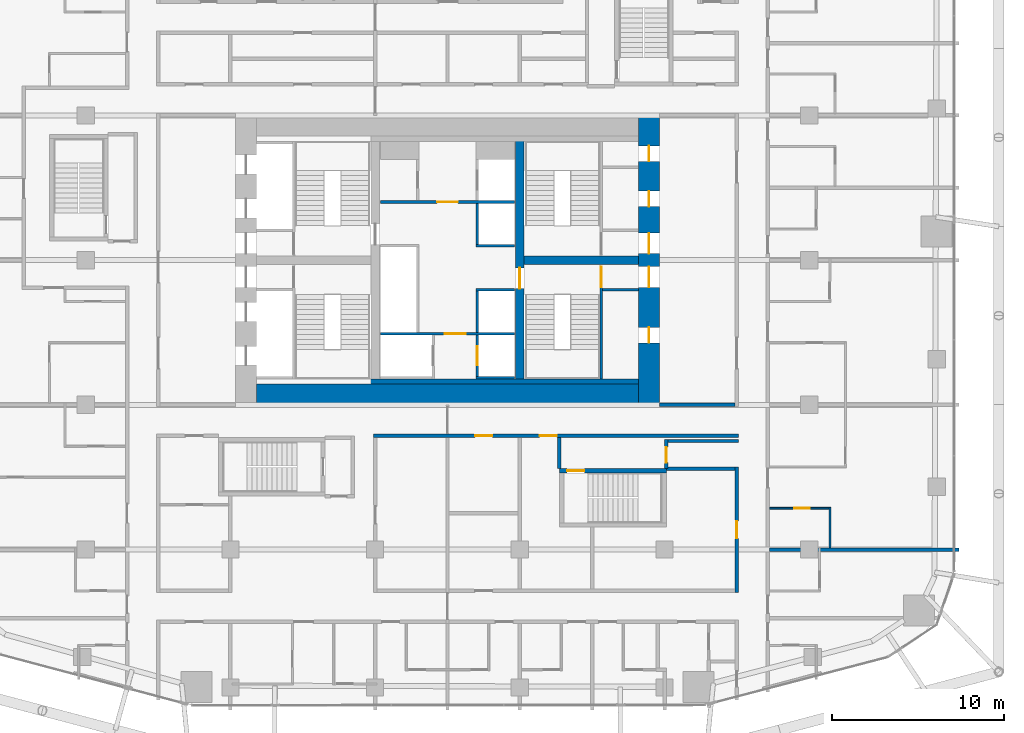
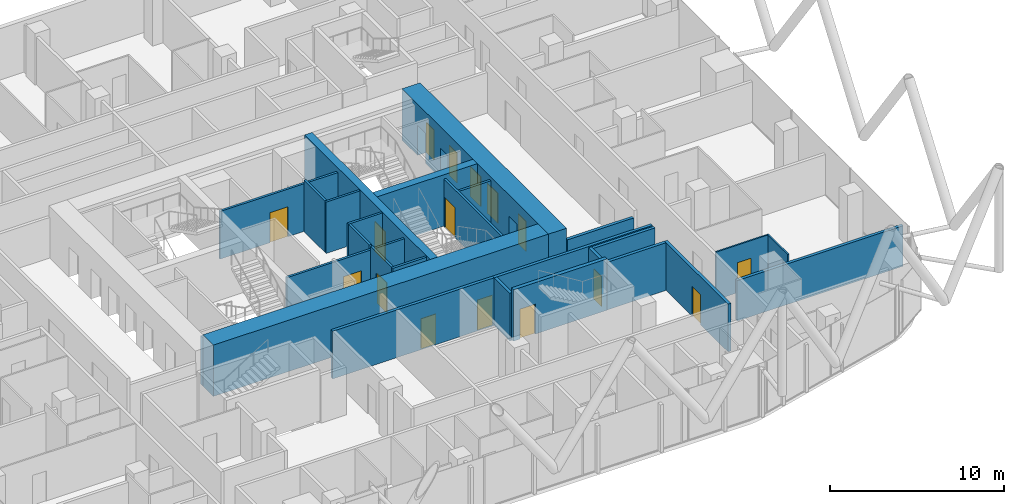
# One storey, part 31 of 38: 27 walls, 16 doors, 16 openings.
"""IFC4 building model written with IfcOpenShell, lengths in metres."""

from ifc_helpers import new_model, si_unit, direction, frame, frame_2d, origin, place, context, subcontext, project, spatial, rectangle, extrude, material, layer, layer_set, type_object, element, fill, save


model = new_model("IFC4")

# Units and contexts
model_context = context("Model", 3, precision=1e-05, world=origin(), true_north=direction((0.0, 1.0)))
body_context = subcontext(model_context, "Body", "Model", "MODEL_VIEW")
ifc_project = project(units=[si_unit("LENGTHUNIT", "METRE"), si_unit("AREAUNIT", "SQUARE_METRE"), si_unit("VOLUMEUNIT", "CUBIC_METRE"), si_unit("PLANEANGLEUNIT", "RADIAN"), si_unit("MASSUNIT", "GRAM", prefix="KILO")], contexts=[model_context])

# Site, building, storey
site_placement = place(None, origin())
site = spatial("IfcSite", under=ifc_project, at=site_placement, CompositionType="ELEMENT")
building_placement = place(site_placement, origin())
building = spatial("IfcBuilding", under=site, at=building_placement, Name="Marenta Gate Hotel Tower", CompositionType="ELEMENT")
storey_placement = place(building_placement, frame((0.0, 0.0, 68.89990234375)))
storey = spatial("IfcBuildingStorey", under=building, at=storey_placement, Name="L15", CompositionType="ELEMENT", Elevation=68.89990234375)

# Walls
ifc_material_1 = material(Name="Concrete blockwork", Category="masonry")
ifc_layer_1 = layer(ifc_material_1, 0.199951171875)
ifc_layer_set_1 = layer_set([ifc_layer_1], Name="Concrete blockwork")
wall_type_1 = type_object("IfcWallType", Name="Core boundary wall 200 REI 180", PredefinedType="PARTITIONING", material=ifc_layer_set_1)
wall_1_placement = place(storey_placement, frame((12.300048828125, 0.0, 0.0), z_axis=(0.0, 0.0, 1.0), x_axis=(1.0, 0.0, 0.0)))
element("IfcWall", 1, at=wall_1_placement, inside=storey, type_object=wall_type_1, Name="L15-CP-EW-ES", PredefinedType="PARTITIONING", context=body_context, shape_type="SweptSolid", body=[
    extrude(rectangle(XDim=4.39990234375, YDim=0.199951171875, at=frame_2d((2.199951171875, 0.0))), origin(), (0.0, 0.0, 1.0), 2.840087890625),
])
ifc_material_2 = material(Name="Concrete C40", Category="concrete")
ifc_layer_2 = layer(ifc_material_2, 0.300048828125)
ifc_layer_set_2 = layer_set([ifc_layer_2], Name="Concrete C40")
wall_type_2 = type_object("IfcWallType", Name="Core lining wall 300 REI 180", PredefinedType="PARTITIONING", material=ifc_layer_set_2)
wall_2_placement = place(storey_placement, frame((-11.10009765625, 1.35009765625, 0.0), z_axis=(0.0, 0.0, 1.0), x_axis=(1.0, 0.0, 0.0)))
element("IfcWall", 2, at=wall_2_placement, inside=storey, type_object=wall_type_2, Name="L15-CP-LN-S", PredefinedType="PARTITIONING", context=body_context, shape_type="SweptSolid", body=[
    extrude(rectangle(XDim=22.2001953125, YDim=0.300048828125, at=frame_2d((11.10009765625, 0.0))), origin(), (0.0, 0.0, 1.0), 3.340087890625),
])

# Wall, opening, door
ifc_material_3 = material(Name="Concrete blockwork", Category="masonry")
ifc_layer_3 = layer(ifc_material_3, 0.14990234375)
ifc_layer_set_3 = layer_set([ifc_layer_3], Name="Concrete blockwork")
wall_type_3 = type_object("IfcWallType", Name="Core lobby partition 150 REI 180", PredefinedType="PARTITIONING", material=ifc_layer_set_3)
wall_3_placement = place(storey_placement, frame((-3.89990234375, 4.125, 0.0), z_axis=(0.0, 0.0, 1.0), x_axis=(1.0, 0.0, 0.0)))
wall_3 = element("IfcWall", 3, at=wall_3_placement, inside=storey, type_object=wall_type_3, Name="L15-CP-CW-S", PredefinedType="PARTITIONING", context=body_context, shape_type="SweptSolid", body=[
    extrude(rectangle(XDim=7.7998046875, YDim=0.14990234375, at=frame_2d((3.89990234375, 0.0))), origin(), (0.0, 0.0, 1.0), 3.340087890625),
])
opening_1_placement = place(wall_3_placement, frame((3.75, 0.0, 0.0)))
opening_1 = element("IfcOpeningElement", 4, at=opening_1_placement, cuts=wall_3, Name="Opening FD-FFS", PredefinedType="OPENING", context=body_context, shape_type="SweptSolid", body=[
    extrude(rectangle(XDim=1.199951171875, YDim=2.10009765625, at=frame_2d((0.60009765625, 1.050048828125))), frame((0.0, 0.074951171875, 0.0), z_axis=(0.0, -1.0, 0.0), x_axis=(1.0, 0.0, 0.0)), (0.0, 0.0, 1.0), 0.14990234375),
])
ifc_material_4 = material(Name="Steel", Category="steel")
door_type_1 = type_object("IfcDoorType", Name="Core lobby door 1200x2100 FD60", OperationType="SINGLE_SWING_LEFT", PredefinedType="DOOR", material=ifc_material_4)
door_1_placement = place(opening_1_placement, origin())
door_1 = element("IfcDoor", 5, at=door_1_placement, inside=storey, type_object=door_type_1, Name="FD-FFS", OperationType="SINGLE_SWING_LEFT", OverallHeight=2.10009765625, OverallWidth=1.199951171875, PredefinedType="DOOR", context=body_context, shape_type="SweptSolid", body=[
    extrude(rectangle(XDim=1.199951171875, YDim=2.10009765625, at=frame_2d((0.60009765625, 1.050048828125))), frame((0.0, 0.02490234375, 0.0), z_axis=(0.0, -1.0, 0.0), x_axis=(1.0, 0.0, 0.0)), (0.0, 0.0, 1.0), 0.050048828125),
])
fill(opening_1, door_1)

wall_4_placement = place(storey_placement, frame((-3.89990234375, 11.77490234375, 0.0), z_axis=(0.0, 0.0, 1.0), x_axis=(1.0, 0.0, 0.0)))
wall_4 = element("IfcWall", 6, at=wall_4_placement, inside=storey, type_object=wall_type_3, Name="L15-CP-CW-N", PredefinedType="PARTITIONING", context=body_context, shape_type="SweptSolid", body=[
    extrude(rectangle(XDim=7.7998046875, YDim=0.14990234375, at=frame_2d((3.89990234375, 0.0))), origin(), (0.0, 0.0, 1.0), 3.340087890625),
])
opening_2_placement = place(wall_4_placement, frame((3.300048828125, 0.0, 0.0)))
opening_2 = element("IfcOpeningElement", 7, at=opening_2_placement, cuts=wall_4, Name="Opening FD-FFN", PredefinedType="OPENING", context=body_context, shape_type="SweptSolid", body=[
    extrude(rectangle(XDim=1.199951171875, YDim=2.10009765625, at=frame_2d((0.60009765625, 1.050048828125))), frame((0.0, 0.074951171875, 0.0), z_axis=(0.0, -1.0, 0.0), x_axis=(1.0, 0.0, 0.0)), (0.0, 0.0, 1.0), 0.14990234375),
])
door_2_placement = place(opening_2_placement, origin())
door_2 = element("IfcDoor", 8, at=door_2_placement, inside=storey, type_object=door_type_1, Name="FD-FFN", OperationType="SINGLE_SWING_LEFT", OverallHeight=2.10009765625, OverallWidth=1.199951171875, PredefinedType="DOOR", context=body_context, shape_type="SweptSolid", body=[
    extrude(rectangle(XDim=1.199951171875, YDim=2.10009765625, at=frame_2d((0.60009765625, 1.050048828125))), frame((0.0, 0.02490234375, 0.0), z_axis=(0.0, -1.0, 0.0), x_axis=(1.0, 0.0, 0.0)), (0.0, 0.0, 1.0), 0.050048828125),
])
fill(opening_2, door_2)

# Wall
ifc_material_5 = material(Name="Concrete blockwork", Category="masonry")
ifc_layer_4 = layer(ifc_material_5, 0.14990234375)
ifc_layer_set_4 = layer_set([ifc_layer_4], Name="Concrete blockwork")
wall_type_4 = type_object("IfcWallType", Name="Core room partition 150 REI 180", PredefinedType="PARTITIONING", material=ifc_layer_set_4)
wall_5_placement = place(storey_placement, frame((9.0, 6.675048828125, 0.0), z_axis=(0.0, 0.0, 1.0), x_axis=(1.0, 0.0, 0.0)))
element("IfcWall", 9, at=wall_5_placement, inside=storey, type_object=wall_type_4, Name="L15-CP-SW-ES-2", PredefinedType="PARTITIONING", context=body_context, shape_type="SweptSolid", body=[
    extrude(rectangle(XDim=2.10009765625, YDim=0.14990234375, at=frame_2d((1.050048828125, 0.0))), origin(), (0.0, 0.0, 1.0), 3.340087890625),
])

# Wall, opening, door
ifc_material_6 = material(Name="Concrete C40", Category="concrete")
ifc_layer_5 = layer(ifc_material_6, 0.14990234375)
ifc_layer_set_5 = layer_set([ifc_layer_5], Name="Concrete C40")
wall_type_5 = type_object("IfcWallType", Name="Core shaft wall 150 REI 180", PredefinedType="SHEAR", material=ifc_layer_set_5)
wall_6_placement = place(storey_placement, frame((1.72509765625, 1.64990234375, 0.0), z_axis=(0.0, 0.0, 1.0), x_axis=(0.0, 1.0, 0.0)))
wall_6 = element("IfcWall", 10, at=wall_6_placement, inside=storey, type_object=wall_type_5, Name="L15-SHF-CE-S-ls", PredefinedType="SHEAR", context=body_context, shape_type="SweptSolid", body=[
    extrude(rectangle(XDim=2.400146484375, YDim=0.14990234375, at=frame_2d((1.2001953125, 0.0))), origin(), (0.0, 0.0, 1.0), 3.60009765625),
])
opening_3_placement = place(wall_6_placement, frame((0.64990234375, 0.0, 0.0)))
opening_3 = element("IfcOpeningElement", 11, at=opening_3_placement, cuts=wall_6, Name="Opening LD-SV1", PredefinedType="OPENING", context=body_context, shape_type="SweptSolid", body=[
    extrude(rectangle(XDim=1.10009765625, YDim=2.10009765625, at=frame_2d((0.550048828125, 1.050048828125))), frame((0.0, 0.074951171875, 0.0), z_axis=(0.0, -1.0, 0.0), x_axis=(1.0, 0.0, 0.0)), (0.0, 0.0, 1.0), 0.14990234375),
])
ifc_material_7 = material(Name="Steel", Category="steel")
door_type_2 = type_object("IfcDoorType", Name="Core lift landing door 1100x2100 E 60", OperationType="SLIDING_TO_LEFT", PredefinedType="DOOR", material=ifc_material_7)
door_3_placement = place(opening_3_placement, origin())
door_3 = element("IfcDoor", 12, at=door_3_placement, inside=storey, type_object=door_type_2, Name="LD-SV1", OperationType="SLIDING_TO_LEFT", OverallHeight=2.10009765625, OverallWidth=1.10009765625, PredefinedType="DOOR", context=body_context, shape_type="SweptSolid", body=[
    extrude(rectangle(XDim=1.10009765625, YDim=2.10009765625, at=frame_2d((0.550048828125, 1.050048828125))), frame((0.0, 0.02490234375, 0.0), z_axis=(0.0, -1.0, 0.0), x_axis=(1.0, 0.0, 0.0)), (0.0, 0.0, 1.0), 0.050048828125),
])
fill(opening_3, door_3)

# Walls
for number, where, z_axis, x_axis, name in (
    (13, (1.64990234375, 1.574951171875, 0.0), (0.0, 0.0, 1.0), (1.0, 0.0, 0.0), "L15-SHF-CE-S-bot"),
    (14, (1.64990234375, 6.675048828125, 0.0), (0.0, 0.0, 1.0), (1.0, 0.0, 0.0), "L15-SHF-CE-sep1"),
    (15, (1.64990234375, 9.22509765625, 0.0), (0.0, 0.0, 1.0), (1.0, 0.0, 0.0), "L15-SHF-CE-sep2"),
):
    element("IfcWall", number, at=place(storey_placement, frame(where, z_axis=z_axis, x_axis=x_axis)), inside=storey, type_object=wall_type_5, Name=name, PredefinedType="SHEAR", context=body_context, shape_type="SweptSolid", body=[
        extrude(rectangle(XDim=2.25, YDim=0.14990234375, at=frame_2d((1.125, 0.0))), origin(), (0.0, 0.0, 1.0), 3.60009765625),
    ])
wall_7_placement = place(storey_placement, frame((1.72509765625, 4.199951171875, 0.0), z_axis=(0.0, 0.0, 1.0), x_axis=(0.0, 1.0, 0.0)))
element("IfcWall", 16, at=wall_7_placement, inside=storey, type_object=wall_type_5, Name="L15-SHF-CE-front-1", PredefinedType="SHEAR", context=body_context, shape_type="SweptSolid", body=[
    extrude(rectangle(XDim=2.400146484375, YDim=0.14990234375, at=frame_2d((1.2001953125, 0.0))), origin(), (0.0, 0.0, 1.0), 3.60009765625),
])
wall_8_placement = place(storey_placement, frame((1.72509765625, 9.300048828125, 0.0), z_axis=(0.0, 0.0, 1.0), x_axis=(0.0, 1.0, 0.0)))
element("IfcWall", 17, at=wall_8_placement, inside=storey, type_object=wall_type_5, Name="L15-SHF-CE-front-2", PredefinedType="SHEAR", context=body_context, shape_type="SweptSolid", body=[
    extrude(rectangle(XDim=2.39990234375, YDim=0.14990234375, at=frame_2d((1.199951171875, 0.0))), origin(), (0.0, 0.0, 1.0), 3.60009765625),
])

# Wall, opening, door
ifc_material_8 = material(Name="Concrete C40", Category="concrete")
ifc_layer_6 = layer(ifc_material_8, 0.14990234375)
ifc_layer_set_6 = layer_set([ifc_layer_6], Name="Concrete C40")
wall_type_6 = type_object("IfcWallType", Name="Core stair enclosure wall 150 REI 180", PredefinedType="SHEAR", material=ifc_layer_set_6)
wall_9_placement = place(storey_placement, frame((8.925048828125, 1.5, 0.0), z_axis=(0.0, 0.0, 1.0), x_axis=(0.0, 1.0, 0.0)))
wall_9 = element("IfcWall", 18, at=wall_9_placement, inside=storey, type_object=wall_type_6, Name="L15-SHF-SW-ES-3", PredefinedType="SHEAR", context=body_context, shape_type="SweptSolid", body=[
    extrude(rectangle(XDim=6.60009765625, YDim=0.14990234375, at=frame_2d((3.300048828125, 0.0))), origin(), (0.0, 0.0, 1.0), 3.340087890625),
])
opening_4_placement = place(wall_9_placement, frame((5.324951171875, 0.0, 0.0)))
opening_4 = element("IfcOpeningElement", 19, at=opening_4_placement, cuts=wall_9, Name="Opening SD-ES", PredefinedType="OPENING", context=body_context, shape_type="SweptSolid", body=[
    extrude(rectangle(XDim=1.199951171875, YDim=2.10009765625, at=frame_2d((0.60009765625, 1.050048828125))), frame((0.0, 0.074951171875, 0.0), z_axis=(0.0, -1.0, 0.0), x_axis=(1.0, 0.0, 0.0)), (0.0, 0.0, 1.0), 0.14990234375),
])
ifc_material_9 = material(Name="Steel", Category="steel")
door_type_3 = type_object("IfcDoorType", Name="Core stair door 1200x2100 FD60", OperationType="SINGLE_SWING_LEFT", PredefinedType="DOOR", material=ifc_material_9)
door_4_placement = place(opening_4_placement, origin())
door_4 = element("IfcDoor", 20, at=door_4_placement, inside=storey, type_object=door_type_3, Name="SD-ES", OperationType="SINGLE_SWING_LEFT", OverallHeight=2.10009765625, OverallWidth=1.199951171875, PredefinedType="DOOR", context=body_context, shape_type="SweptSolid", body=[
    extrude(rectangle(XDim=1.199951171875, YDim=2.10009765625, at=frame_2d((0.60009765625, 1.050048828125))), frame((0.0, 0.02490234375, 0.0), z_axis=(0.0, -1.0, 0.0), x_axis=(1.0, 0.0, 0.0)), (0.0, 0.0, 1.0), 0.050048828125),
])
fill(opening_4, door_4)

# Wall, openings, doors
ifc_material_10 = material(Name="Concrete C80", Category="concrete")
ifc_layer_7 = layer(ifc_material_10, 1.199951171875)
ifc_layer_set_7 = layer_set([ifc_layer_7], Name="Concrete C80")
wall_type_7 = type_object("IfcWallType", Name="Core wall 1200 C80", PredefinedType="SHEAR", material=ifc_layer_set_7)
wall_10_placement = place(storey_placement, frame((11.699951171875, 0.0, 0.0), z_axis=(0.0, 0.0, 1.0), x_axis=(0.0, 1.0, 0.0)))
wall_10 = element("IfcWall", 21, at=wall_10_placement, inside=storey, type_object=wall_type_7, Name="L15-CORE-E", PredefinedType="SHEAR", context=body_context, shape_type="SweptSolid", body=[
    extrude(rectangle(XDim=16.800048828125, YDim=1.199951171875, at=frame_2d((8.39990234375, 0.0))), origin(), (0.0, 0.0, 1.0), 3.60009765625),
])
opening_5_placement = place(wall_10_placement, frame((3.60009765625, 0.0, 0.0)))
opening_5 = element("IfcOpeningElement", 22, at=opening_5_placement, cuts=wall_10, Name="Opening RD-ES-1", PredefinedType="OPENING", context=body_context, shape_type="SweptSolid", body=[
    extrude(rectangle(XDim=0.89990234375, YDim=2.10009765625, at=frame_2d((0.449951171875, 1.050048828125))), frame((0.0, 0.60009765625, 0.0), z_axis=(0.0, -1.0, 0.0), x_axis=(1.0, 0.0, 0.0)), (0.0, 0.0, 1.0), 1.199951171875),
])
opening_6_placement = place(wall_10_placement, frame((6.824951171875, 0.0, 0.0)))
opening_6 = element("IfcOpeningElement", 23, at=opening_6_placement, cuts=wall_10, Name="Opening PD-ES", PredefinedType="OPENING", context=body_context, shape_type="SweptSolid", body=[
    extrude(rectangle(XDim=1.199951171875, YDim=2.10009765625, at=frame_2d((0.60009765625, 1.050048828125))), frame((0.0, 0.60009765625, 0.0), z_axis=(0.0, -1.0, 0.0), x_axis=(1.0, 0.0, 0.0)), (0.0, 0.0, 1.0), 1.199951171875),
])
opening_7_placement = place(wall_10_placement, frame((14.137451171875, 0.0, 0.0)))
opening_7 = element("IfcOpeningElement", 24, at=opening_7_placement, cuts=wall_10, Name="Opening RD-EN-1", PredefinedType="OPENING", context=body_context, shape_type="SweptSolid", body=[
    extrude(rectangle(XDim=0.89990234375, YDim=2.10009765625, at=frame_2d((0.449951171875, 1.050048828125))), frame((0.0, 0.60009765625, 0.0), z_axis=(0.0, -1.0, 0.0), x_axis=(1.0, 0.0, 0.0)), (0.0, 0.0, 1.0), 1.199951171875),
])
opening_8_placement = place(wall_10_placement, frame((11.512451171875, 0.0, 0.0)))
opening_8 = element("IfcOpeningElement", 25, at=opening_8_placement, cuts=wall_10, Name="Opening RD-EN-2", PredefinedType="OPENING", context=body_context, shape_type="SweptSolid", body=[
    extrude(rectangle(XDim=0.89990234375, YDim=2.10009765625, at=frame_2d((0.449951171875, 1.050048828125))), frame((0.0, 0.60009765625, 0.0), z_axis=(0.0, -1.0, 0.0), x_axis=(1.0, 0.0, 0.0)), (0.0, 0.0, 1.0), 1.199951171875),
])
opening_9_placement = place(wall_10_placement, frame((8.77490234375, 0.0, 0.0)))
opening_9 = element("IfcOpeningElement", 26, at=opening_9_placement, cuts=wall_10, Name="Opening PD-EN", PredefinedType="OPENING", context=body_context, shape_type="SweptSolid", body=[
    extrude(rectangle(XDim=1.199951171875, YDim=2.10009765625, at=frame_2d((0.60009765625, 1.050048828125))), frame((0.0, 0.60009765625, 0.0), z_axis=(0.0, -1.0, 0.0), x_axis=(1.0, 0.0, 0.0)), (0.0, 0.0, 1.0), 1.199951171875),
])
door_5_placement = place(opening_6_placement, origin())
door_5 = element("IfcDoor", 27, at=door_5_placement, inside=storey, type_object=door_type_1, Name="PD-ES", OperationType="SINGLE_SWING_LEFT", OverallHeight=2.10009765625, OverallWidth=1.199951171875, PredefinedType="DOOR", context=body_context, shape_type="SweptSolid", body=[
    extrude(rectangle(XDim=1.199951171875, YDim=2.10009765625, at=frame_2d((0.60009765625, 1.050048828125))), frame((0.0, 0.02490234375, 0.0), z_axis=(0.0, -1.0, 0.0), x_axis=(1.0, 0.0, 0.0)), (0.0, 0.0, 1.0), 0.050048828125),
])
fill(opening_6, door_5)
door_6_placement = place(opening_9_placement, origin())
door_6 = element("IfcDoor", 28, at=door_6_placement, inside=storey, type_object=door_type_1, Name="PD-EN", OperationType="SINGLE_SWING_LEFT", OverallHeight=2.10009765625, OverallWidth=1.199951171875, PredefinedType="DOOR", context=body_context, shape_type="SweptSolid", body=[
    extrude(rectangle(XDim=1.199951171875, YDim=2.10009765625, at=frame_2d((0.60009765625, 1.050048828125))), frame((0.0, 0.02490234375, 0.0), z_axis=(0.0, -1.0, 0.0), x_axis=(1.0, 0.0, 0.0)), (0.0, 0.0, 1.0), 0.050048828125),
])
fill(opening_9, door_6)
ifc_material_11 = material(Name="Steel", Category="steel")
door_type_4 = type_object("IfcDoorType", Name="Core service room door 900x2100 FD30S", OperationType="SINGLE_SWING_LEFT", PredefinedType="DOOR", material=ifc_material_11)
door_7_placement = place(opening_5_placement, origin())
door_7 = element("IfcDoor", 29, at=door_7_placement, inside=storey, type_object=door_type_4, Name="RD-ES-1", OperationType="SINGLE_SWING_LEFT", OverallHeight=2.10009765625, OverallWidth=0.89990234375, PredefinedType="DOOR", context=body_context, shape_type="SweptSolid", body=[
    extrude(rectangle(XDim=0.89990234375, YDim=2.10009765625, at=frame_2d((0.449951171875, 1.050048828125))), frame((0.0, 0.02490234375, 0.0), z_axis=(0.0, -1.0, 0.0), x_axis=(1.0, 0.0, 0.0)), (0.0, 0.0, 1.0), 0.050048828125),
])
fill(opening_5, door_7)
door_8_placement = place(opening_7_placement, origin())
door_8 = element("IfcDoor", 30, at=door_8_placement, inside=storey, type_object=door_type_4, Name="RD-EN-1", OperationType="SINGLE_SWING_LEFT", OverallHeight=2.10009765625, OverallWidth=0.89990234375, PredefinedType="DOOR", context=body_context, shape_type="SweptSolid", body=[
    extrude(rectangle(XDim=0.89990234375, YDim=2.10009765625, at=frame_2d((0.449951171875, 1.050048828125))), frame((0.0, 0.02490234375, 0.0), z_axis=(0.0, -1.0, 0.0), x_axis=(1.0, 0.0, 0.0)), (0.0, 0.0, 1.0), 0.050048828125),
])
fill(opening_7, door_8)
door_9_placement = place(opening_8_placement, origin())
door_9 = element("IfcDoor", 31, at=door_9_placement, inside=storey, type_object=door_type_4, Name="RD-EN-2", OperationType="SINGLE_SWING_LEFT", OverallHeight=2.10009765625, OverallWidth=0.89990234375, PredefinedType="DOOR", context=body_context, shape_type="SweptSolid", body=[
    extrude(rectangle(XDim=0.89990234375, YDim=2.10009765625, at=frame_2d((0.449951171875, 1.050048828125))), frame((0.0, 0.02490234375, 0.0), z_axis=(0.0, -1.0, 0.0), x_axis=(1.0, 0.0, 0.0)), (0.0, 0.0, 1.0), 0.050048828125),
])
fill(opening_8, door_9)

# Wall
wall_11_placement = place(storey_placement, frame((-11.10009765625, 0.60009765625, 0.0), z_axis=(0.0, 0.0, 1.0), x_axis=(1.0, 0.0, 0.0)))
element("IfcWall", 32, at=wall_11_placement, inside=storey, type_object=wall_type_7, Name="L15-CORE-S", PredefinedType="SHEAR", context=body_context, shape_type="SweptSolid", body=[
    extrude(rectangle(XDim=22.2001953125, YDim=1.199951171875, at=frame_2d((11.10009765625, 0.0))), origin(), (0.0, 0.0, 1.0), 3.60009765625),
])

# Wall, opening, door
ifc_material_12 = material(Name="Concrete C80", Category="concrete")
ifc_layer_8 = layer(ifc_material_12, 0.5)
ifc_layer_set_8 = layer_set([ifc_layer_8], Name="Concrete C80")
wall_type_8 = type_object("IfcWallType", Name="Core web 500 C80", PredefinedType="SHEAR", material=ifc_layer_set_8)
wall_12_placement = place(storey_placement, frame((4.199951171875, 1.199951171875, 0.0), z_axis=(0.0, 0.0, 1.0), x_axis=(0.0, 1.0, 0.0)))
wall_12 = element("IfcWall", 33, at=wall_12_placement, inside=storey, type_object=wall_type_8, Name="L15-CORE-W2", PredefinedType="SHEAR", context=body_context, shape_type="SweptSolid", body=[
    extrude(rectangle(XDim=14.400146484375, YDim=0.5, at=frame_2d((7.2001953125, 0.0))), origin(), (0.0, 0.0, 1.0), 3.60009765625),
])
opening_10_placement = place(wall_12_placement, frame((5.550048828125, 0.0, 0.0)))
opening_10 = element("IfcOpeningElement", 34, at=opening_10_placement, cuts=wall_12, Name="Opening WD-E", PredefinedType="OPENING", context=body_context, shape_type="SweptSolid", body=[
    extrude(rectangle(XDim=1.199951171875, YDim=2.10009765625, at=frame_2d((0.60009765625, 1.050048828125))), frame((0.0, 0.25, 0.0), z_axis=(0.0, -1.0, 0.0), x_axis=(1.0, 0.0, 0.0)), (0.0, 0.0, 1.0), 0.5),
])
door_10_placement = place(opening_10_placement, origin())
door_10 = element("IfcDoor", 35, at=door_10_placement, inside=storey, type_object=door_type_3, Name="WD-E", OperationType="SINGLE_SWING_LEFT", OverallHeight=2.10009765625, OverallWidth=1.199951171875, PredefinedType="DOOR", context=body_context, shape_type="SweptSolid", body=[
    extrude(rectangle(XDim=1.199951171875, YDim=2.10009765625, at=frame_2d((0.60009765625, 1.050048828125))), frame((0.0, 0.02490234375, 0.0), z_axis=(0.0, -1.0, 0.0), x_axis=(1.0, 0.0, 0.0)), (0.0, 0.0, 1.0), 0.050048828125),
])
fill(opening_10, door_10)

# Wall
wall_13_placement = place(storey_placement, frame((4.449951171875, 8.39990234375, 0.0), z_axis=(0.0, 0.0, 1.0), x_axis=(1.0, 0.0, 0.0)))
element("IfcWall", 36, at=wall_13_placement, inside=storey, type_object=wall_type_8, Name="L15-CORE-W4", PredefinedType="SHEAR", context=body_context, shape_type="SweptSolid", body=[
    extrude(rectangle(XDim=6.650146484375, YDim=0.5, at=frame_2d((3.3251953125, 0.0))), origin(), (0.0, 0.0, 1.0), 3.60009765625),
])

# Wall, opening, door
ifc_material_13 = material(Name="Concrete C40", Category="concrete")
ifc_layer_9 = layer(ifc_material_13, 0.25)
ifc_layer_set_9 = layer_set([ifc_layer_9], Name="Concrete C40")
wall_type_9 = type_object("IfcWallType", Name="Remote stair enclosure wall 250 REI 180", PredefinedType="SHEAR", material=ifc_layer_set_9)
wall_14_placement = place(storey_placement, frame((6.5, -3.824951171875, 0.10009765625), z_axis=(0.0, 0.0, 1.0), x_axis=(1.0, 0.0, 0.0)))
wall_14 = element("IfcWall", 37, at=wall_14_placement, inside=storey, type_object=wall_type_9, Name="L15-RS-Z1-1-W2", PredefinedType="SHEAR", context=body_context, shape_type="SweptSolid", body=[
    extrude(rectangle(XDim=6.199951171875, YDim=0.25, at=frame_2d((3.10009765625, 0.0))), origin(), (0.0, 0.0, 1.0), 3.60009765625),
])
opening_11_placement = place(wall_14_placement, frame((0.449951171875, 0.0, 0.0)))
opening_11 = element("IfcOpeningElement", 38, at=opening_11_placement, cuts=wall_14, Name="Opening VD", PredefinedType="OPENING", context=body_context, shape_type="SweptSolid", body=[
    extrude(rectangle(XDim=1.0, YDim=2.10009765625, at=frame_2d((0.5, 1.050048828125))), frame((0.0, 0.125, 0.0), z_axis=(0.0, -1.0, 0.0), x_axis=(1.0, 0.0, 0.0)), (0.0, 0.0, 1.0), 0.25),
])
ifc_material_14 = material(Name="Steel", Category="steel")
door_type_5 = type_object("IfcDoorType", Name="Stair vestibule door 1000x2100 FD60", OperationType="SINGLE_SWING_LEFT", PredefinedType="DOOR", material=ifc_material_14)
door_11_placement = place(opening_11_placement, origin())
door_11 = element("IfcDoor", 39, at=door_11_placement, inside=storey, type_object=door_type_5, Name="VD", OperationType="SINGLE_SWING_LEFT", OverallHeight=2.10009765625, OverallWidth=1.0, PredefinedType="DOOR", context=body_context, shape_type="SweptSolid", body=[
    extrude(rectangle(XDim=1.0, YDim=2.10009765625, at=frame_2d((0.5, 1.050048828125))), frame((0.0, 0.02490234375, 0.0), z_axis=(0.0, -1.0, 0.0), x_axis=(1.0, 0.0, 0.0)), (0.0, 0.0, 1.0), 0.050048828125),
])
fill(opening_11, door_11)

ifc_material_15 = material(Name="Gypsum board on steel stud", Category="steel")
ifc_layer_10 = layer(ifc_material_15, 0.199951171875)
ifc_layer_set_10 = layer_set([ifc_layer_10], Name="Gypsum board on steel stud")
wall_type_10 = type_object("IfcWallType", Name="Room corridor wall 200 EI 60", PredefinedType="PARTITIONING", material=ifc_layer_set_10)
wall_15_placement = place(storey_placement, frame((16.800048828125, -10.89990234375, 0.0), z_axis=(0.0, 0.0, 1.0), x_axis=(0.0, 1.0, 0.0)))
wall_15 = element("IfcWall", 40, at=wall_15_placement, inside=storey, type_object=wall_type_10, Name="L15-PTN-W016", PredefinedType="PARTITIONING", context=body_context, shape_type="SweptSolid", body=[
    extrude(rectangle(XDim=7.2998046875, YDim=0.199951171875, at=frame_2d((3.64990234375, 0.0))), origin(), (0.0, 0.0, 1.0), 3.340087890625),
])
opening_12_placement = place(wall_15_placement, frame((3.14990234375, 0.0, 0.0)))
opening_12 = element("IfcOpeningElement", 41, at=opening_12_placement, cuts=wall_15, Name="Opening G05-71", PredefinedType="OPENING", context=body_context, shape_type="SweptSolid", body=[
    extrude(rectangle(XDim=1.0, YDim=2.10009765625, at=frame_2d((0.5, 1.050048828125))), frame((0.0, 0.10009765625, 0.0), z_axis=(0.0, -1.0, 0.0), x_axis=(1.0, 0.0, 0.0)), (0.0, 0.0, 1.0), 0.199951171875),
])
ifc_material_16 = material(Name="Timber door leaf", Category="wood")
door_type_6 = type_object("IfcDoorType", Name="Room amenity door 1000x2100 EI 30", OperationType="NOTDEFINED", PredefinedType="DOOR", material=ifc_material_16)
door_12_placement = place(opening_12_placement, origin())
door_12 = element("IfcDoor", 42, at=door_12_placement, inside=storey, type_object=door_type_6, Name="L15-PD-D071", OperationType="SINGLE_SWING_LEFT", OverallHeight=2.10009765625, OverallWidth=1.0, PredefinedType="DOOR", context=body_context, shape_type="SweptSolid", body=[
    extrude(rectangle(XDim=1.0, YDim=2.10009765625, at=frame_2d((0.5, 1.050048828125))), frame((0.0, 0.02490234375, 0.0), z_axis=(0.0, -1.0, 0.0), x_axis=(1.0, 0.0, 0.0)), (0.0, 0.0, 1.0), 0.050048828125),
])
fill(opening_12, door_12)

# Wall
wall_16_placement = place(storey_placement, frame((12.699951171875, -3.699951171875, 0.0), z_axis=(0.0, 0.0, 1.0), x_axis=(1.0, 0.0, 0.0)))
element("IfcWall", 43, at=wall_16_placement, inside=storey, type_object=wall_type_10, Name="L15-PTN-W061", PredefinedType="PARTITIONING", context=body_context, shape_type="SweptSolid", body=[
    extrude(rectangle(XDim=4.0, YDim=0.199951171875, at=frame_2d((2.0, 0.0))), origin(), (0.0, 0.0, 1.0), 3.340087890625),
])

# Wall, openings, doors
wall_17_placement = place(storey_placement, frame((-4.300048828125, -1.800048828125, 0.0), z_axis=(0.0, 0.0, 1.0), x_axis=(1.0, 0.0, 0.0)))
wall_17 = element("IfcWall", 44, at=wall_17_placement, inside=storey, type_object=wall_type_10, Name="L15-PTN-W069", PredefinedType="PARTITIONING", context=body_context, shape_type="SweptSolid", body=[
    extrude(rectangle(XDim=10.900146484375, YDim=0.199951171875, at=frame_2d((5.4501953125, 0.0))), origin(), (0.0, 0.0, 1.0), 3.340087890625),
])
opening_13_placement = place(wall_17_placement, frame((9.64990234375, 0.0, 0.0)))
opening_13 = element("IfcOpeningElement", 45, at=opening_13_placement, cuts=wall_17, Name="Opening G05-04", PredefinedType="OPENING", context=body_context, shape_type="SweptSolid", body=[
    extrude(rectangle(XDim=1.0, YDim=2.10009765625, at=frame_2d((0.5, 1.050048828125))), frame((0.0, 0.10009765625, 0.0), z_axis=(0.0, -1.0, 0.0), x_axis=(1.0, 0.0, 0.0)), (0.0, 0.0, 1.0), 0.199951171875),
])
opening_14_placement = place(wall_17_placement, frame((5.89990234375, 0.0, 0.0)))
opening_14 = element("IfcOpeningElement", 46, at=opening_14_placement, cuts=wall_17, Name="Opening G05-80", PredefinedType="OPENING", context=body_context, shape_type="SweptSolid", body=[
    extrude(rectangle(XDim=1.0, YDim=2.10009765625, at=frame_2d((0.5, 1.050048828125))), frame((0.0, 0.10009765625, 0.0), z_axis=(0.0, -1.0, 0.0), x_axis=(1.0, 0.0, 0.0)), (0.0, 0.0, 1.0), 0.199951171875),
])
door_13_placement = place(opening_13_placement, origin())
door_13 = element("IfcDoor", 47, at=door_13_placement, inside=storey, type_object=door_type_6, Name="L15-PD-D004", OperationType="SINGLE_SWING_LEFT", OverallHeight=2.10009765625, OverallWidth=1.0, PredefinedType="DOOR", context=body_context, shape_type="SweptSolid", body=[
    extrude(rectangle(XDim=1.0, YDim=2.10009765625, at=frame_2d((0.5, 1.050048828125))), frame((0.0, 0.02490234375, 0.0), z_axis=(0.0, -1.0, 0.0), x_axis=(1.0, 0.0, 0.0)), (0.0, 0.0, 1.0), 0.050048828125),
])
fill(opening_13, door_13)
door_14_placement = place(opening_14_placement, origin())
door_14 = element("IfcDoor", 48, at=door_14_placement, inside=storey, type_object=door_type_6, Name="L15-PD-D080", OperationType="SINGLE_SWING_RIGHT", OverallHeight=2.10009765625, OverallWidth=1.0, PredefinedType="DOOR", context=body_context, shape_type="SweptSolid", body=[
    extrude(rectangle(XDim=1.0, YDim=2.10009765625, at=frame_2d((0.5, 1.050048828125))), frame((0.0, 0.02490234375, 0.0), z_axis=(0.0, -1.0, 0.0), x_axis=(1.0, 0.0, 0.0)), (0.0, 0.0, 1.0), 0.050048828125),
])
fill(opening_14, door_14)

# Wall, opening, door
ifc_material_17 = material(Name="Concrete blockwork", Category="masonry")
ifc_layer_11 = layer(ifc_material_17, 0.199951171875)
ifc_layer_set_11 = layer_set([ifc_layer_11], Name="Concrete blockwork")
wall_type_11 = type_object("IfcWallType", Name="Room corridor wall 200 REI 180", PredefinedType="PARTITIONING", material=ifc_layer_set_11)
wall_18_placement = place(storey_placement, frame((12.699951171875, -3.699951171875, 0.0), z_axis=(0.0, 0.0, 1.0), x_axis=(0.0, 1.0, 0.0)))
wall_18 = element("IfcWall", 49, at=wall_18_placement, inside=storey, type_object=wall_type_11, Name="L15-PTN-W031", PredefinedType="PARTITIONING", context=body_context, shape_type="SweptSolid", body=[
    extrude(rectangle(XDim=1.699951171875, YDim=0.199951171875, at=frame_2d((0.85009765625, 0.0))), origin(), (0.0, 0.0, 1.0), 3.340087890625),
])
opening_15_placement = place(wall_18_placement, frame((0.35009765625, 0.0, 0.0)))
opening_15 = element("IfcOpeningElement", 50, at=opening_15_placement, cuts=wall_18, Name="Opening G05-66", PredefinedType="OPENING", context=body_context, shape_type="SweptSolid", body=[
    extrude(rectangle(XDim=0.89990234375, YDim=2.10009765625, at=frame_2d((0.449951171875, 1.050048828125))), frame((0.0, 0.10009765625, 0.0), z_axis=(0.0, -1.0, 0.0), x_axis=(1.0, 0.0, 0.0)), (0.0, 0.0, 1.0), 0.199951171875),
])
ifc_material_18 = material(Name="Hollow steel door set", Category="steel")
door_type_7 = type_object("IfcDoorType", Name="Stair vestibule door 900x2100 EI 60", OperationType="NOTDEFINED", PredefinedType="DOOR", material=ifc_material_18)
door_15_placement = place(opening_15_placement, origin())
door_15 = element("IfcDoor", 51, at=door_15_placement, inside=storey, type_object=door_type_7, Name="L15-PD-D066", OperationType="SINGLE_SWING_LEFT", OverallHeight=2.10009765625, OverallWidth=0.89990234375, PredefinedType="DOOR", context=body_context, shape_type="SweptSolid", body=[
    extrude(rectangle(XDim=0.89990234375, YDim=2.10009765625, at=frame_2d((0.449951171875, 1.050048828125))), frame((0.0, 0.02490234375, 0.0), z_axis=(0.0, -1.0, 0.0), x_axis=(1.0, 0.0, 0.0)), (0.0, 0.0, 1.0), 0.050048828125),
])
fill(opening_15, door_15)

# Walls
wall_19_placement = place(storey_placement, frame((12.800048828125, -2.10009765625, 0.0), z_axis=(0.0, 0.0, 1.0), x_axis=(1.0, 0.0, 0.0)))
element("IfcWall", 52, at=wall_19_placement, inside=storey, type_object=wall_type_11, Name="L15-PTN-W065", PredefinedType="PARTITIONING", context=body_context, shape_type="SweptSolid", body=[
    extrude(rectangle(XDim=4.099853515625, YDim=0.199951171875, at=frame_2d((2.0498046875, 0.0))), origin(), (0.0, 0.0, 1.0), 3.340087890625),
])
wall_20_placement = place(storey_placement, frame((6.39990234375, -1.800048828125, 0.0), z_axis=(0.0, 0.0, 1.0), x_axis=(1.0, 0.0, 0.0)))
element("IfcWall", 53, at=wall_20_placement, inside=storey, type_object=wall_type_11, Name="L15-PTN-W070", PredefinedType="PARTITIONING", context=body_context, shape_type="SweptSolid", body=[
    extrude(rectangle(XDim=10.5, YDim=0.199951171875, at=frame_2d((5.25, 0.0))), origin(), (0.0, 0.0, 1.0), 3.340087890625),
])
ifc_material_19 = material(Name="Gypsum board on steel stud", Category="steel")
ifc_layer_12 = layer(ifc_material_19, 0.10009765625)
ifc_layer_set_12 = layer_set([ifc_layer_12], Name="Gypsum board on steel stud")
wall_type_12 = type_object("IfcWallType", Name="Room partition 100", PredefinedType="PARTITIONING", material=ifc_layer_set_12)
wall_21_placement = place(storey_placement, frame((22.199951171875, -8.300048828125, 0.0), z_axis=(0.0, 0.0, 1.0), x_axis=(0.0, 1.0, 0.0)))
element("IfcWall", 54, at=wall_21_placement, inside=storey, type_object=wall_type_12, Name="L15-PTN-W005", PredefinedType="PARTITIONING", context=body_context, shape_type="SweptSolid", body=[
    extrude(rectangle(XDim=2.35009765625, YDim=0.10009765625, at=frame_2d((1.175048828125, 0.0))), origin(), (0.0, 0.0, 1.0), 3.340087890625),
])

# Wall, opening, door
wall_22_placement = place(storey_placement, frame((18.699951171875, -6.0, 0.0), z_axis=(0.0, 0.0, 1.0), x_axis=(1.0, 0.0, 0.0)))
wall_22 = element("IfcWall", 55, at=wall_22_placement, inside=storey, type_object=wall_type_12, Name="L15-PTN-W053", PredefinedType="PARTITIONING", context=body_context, shape_type="SweptSolid", body=[
    extrude(rectangle(XDim=3.449951171875, YDim=0.10009765625, at=frame_2d((1.72509765625, 0.0))), origin(), (0.0, 0.0, 1.0), 3.340087890625),
])
opening_16_placement = place(wall_22_placement, frame((1.429931640625, 0.0, 0.0)))
opening_16 = element("IfcOpeningElement", 56, at=opening_16_placement, cuts=wall_22, Name="Opening G05-11", PredefinedType="OPENING", context=body_context, shape_type="SweptSolid", body=[
    extrude(rectangle(XDim=0.89990234375, YDim=2.10009765625, at=frame_2d((0.449951171875, 1.050048828125))), frame((0.0, 0.050048828125, 0.0), z_axis=(0.0, -1.0, 0.0), x_axis=(1.0, 0.0, 0.0)), (0.0, 0.0, 1.0), 0.10009765625),
])
ifc_material_20 = material(Name="Timber door leaf", Category="wood")
door_type_8 = type_object("IfcDoorType", Name="Room inner door 900x2100", OperationType="NOTDEFINED", PredefinedType="DOOR", material=ifc_material_20)
door_16_placement = place(opening_16_placement, origin())
door_16 = element("IfcDoor", 57, at=door_16_placement, inside=storey, type_object=door_type_8, Name="L15-PD-D011", OperationType="SINGLE_SWING_LEFT", OverallHeight=2.10009765625, OverallWidth=0.89990234375, PredefinedType="DOOR", context=body_context, shape_type="SweptSolid", body=[
    extrude(rectangle(XDim=0.89990234375, YDim=2.10009765625, at=frame_2d((0.449951171875, 1.050048828125))), frame((0.0, 0.02490234375, 0.0), z_axis=(0.0, -1.0, 0.0), x_axis=(1.0, 0.0, 0.0)), (0.0, 0.0, 1.0), 0.050048828125),
])
fill(opening_16, door_16)

# Walls
ifc_material_21 = material(Name="Gypsum board on steel stud", Category="steel")
ifc_layer_13 = layer(ifc_material_21, 0.199951171875)
ifc_layer_set_13 = layer_set([ifc_layer_13], Name="Gypsum board on steel stud")
wall_type_13 = type_object("IfcWallType", Name="Room party wall 200 EI 60", PredefinedType="PARTITIONING", material=ifc_layer_set_13)
wall_23_placement = place(storey_placement, frame((18.699951171875, -8.39990234375, 0.0), z_axis=(0.0, 0.0, 1.0), x_axis=(1.0, 0.0, 0.0)))
element("IfcWall", 58, at=wall_23_placement, inside=storey, type_object=wall_type_13, Name="L15-PTN-W046", PredefinedType="PARTITIONING", context=body_context, shape_type="SweptSolid", body=[
    extrude(rectangle(XDim=11.0, YDim=0.199951171875, at=frame_2d((5.5, 0.0))), origin(), (0.0, 0.0, 1.0), 2.840087890625),
])
ifc_material_22 = material(Name="Concrete blockwork", Category="masonry")
ifc_layer_14 = layer(ifc_material_22, 0.199951171875)
ifc_layer_set_14 = layer_set([ifc_layer_14], Name="Concrete blockwork")
wall_type_14 = type_object("IfcWallType", Name="Room party wall 200 REI 180", PredefinedType="PARTITIONING", material=ifc_layer_set_14)
wall_24_placement = place(storey_placement, frame((6.5, -3.699951171875, 0.0), z_axis=(0.0, 0.0, 1.0), x_axis=(0.0, 1.0, 0.0)))
element("IfcWall", 59, at=wall_24_placement, inside=storey, type_object=wall_type_14, Name="L15-PTN-W051", PredefinedType="PARTITIONING", context=body_context, shape_type="SweptSolid", body=[
    extrude(rectangle(XDim=1.800048828125, YDim=0.199951171875, at=frame_2d((0.89990234375, 0.0))), origin(), (0.0, 0.0, 1.0), 3.340087890625),
])

save(model, "model.ifc")
